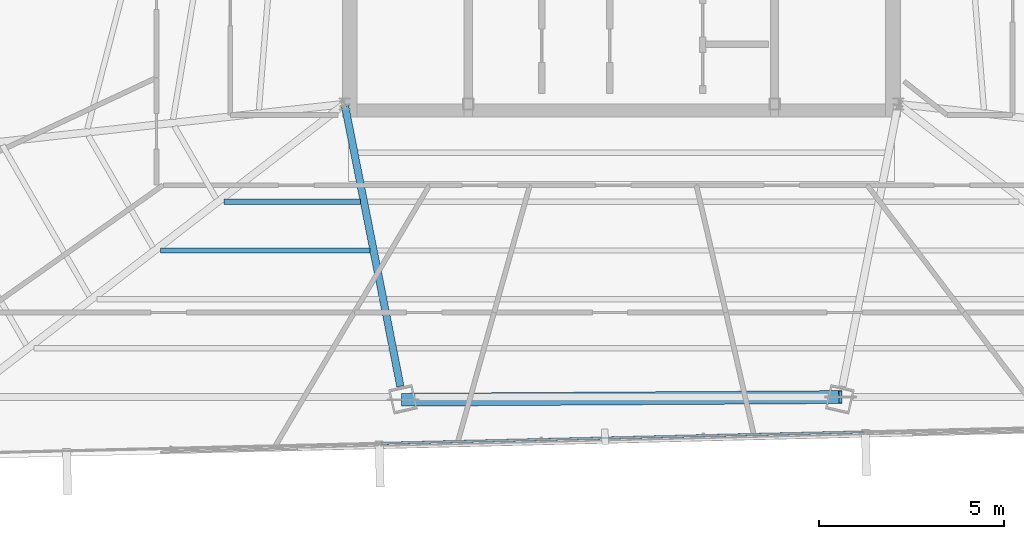
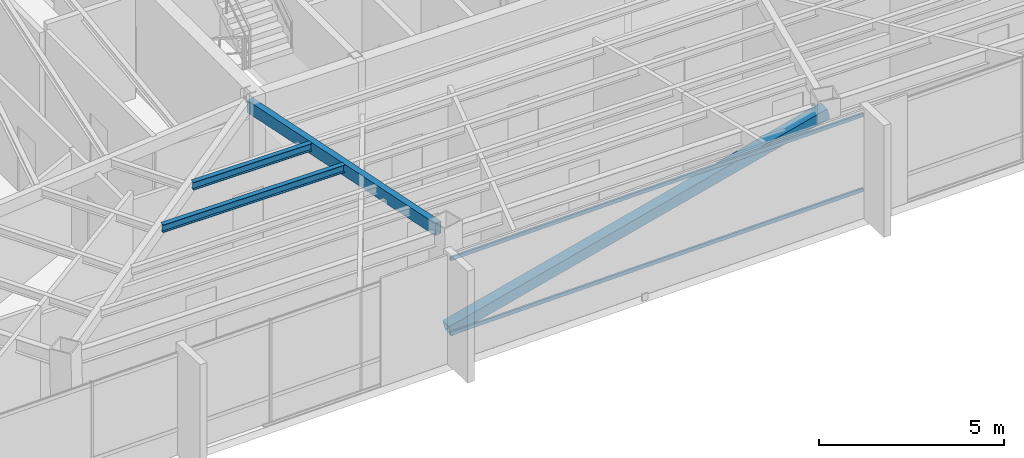
# One storey, part 12 of 44: 3 beams, 3 members, 1 element without a shape of its own.
"""IFC4 building model written with IfcOpenShell, lengths in metres."""

from ifc_helpers import new_model, si_unit, direction, frame, origin, origin_2d, place, context, subcontext, project, spatial, hollow_rectangle, i_section, extrude, source, transform, mapped, material, material_profile, profile_set, type_object, type_shapes, element, aggregate, save


model = new_model("IFC4")

# Units and contexts
model_context = context("Model", 3, precision=1e-05, world=origin(), true_north=direction((0.0, 1.0)))
body_context = subcontext(model_context, "Body", "Model", "MODEL_VIEW")
ifc_project = project(units=[si_unit("LENGTHUNIT", "METRE"), si_unit("AREAUNIT", "SQUARE_METRE"), si_unit("VOLUMEUNIT", "CUBIC_METRE"), si_unit("PLANEANGLEUNIT", "RADIAN"), si_unit("MASSUNIT", "GRAM", prefix="KILO")], contexts=[model_context])

# Site, building, storey
site_placement = place(None, origin())
site = spatial("IfcSite", under=ifc_project, at=site_placement, CompositionType="ELEMENT")
building_placement = place(site_placement, origin())
building = spatial("IfcBuilding", under=site, at=building_placement, Name="Caelisora Broadcast Tower", CompositionType="ELEMENT")
storey_placement = place(building_placement, frame((0.0, 0.0, 259.050048828125)))
storey = spatial("IfcBuildingStorey", under=building, at=storey_placement, Name="L68", CompositionType="ELEMENT", Elevation=259.050048828125)

# Beams
ifc_material_1 = material(Name="Steel Grade 350 (AS/NZS 1163 C350L0)", Category="steel")
ifc_material_profile_1 = material_profile(ifc_material_1, hollow_rectangle(XDim=0.199951171875, YDim=0.39990234375, WallThickness=0.012451171875, at=origin_2d()), Name="Steel Grade 350 (AS/NZS 1163 C350L0)")
ifc_profile_set_1 = profile_set([ifc_material_profile_1], Name="Steel Grade 350 (AS/NZS 1163 C350L0)")
beam_type_1 = type_object("IfcBeamType", Name="PG07", PredefinedType="BEAM", material=ifc_profile_set_1)
shared_shape_1 = source(origin(), body_context, "Body", "SweptSolid", [
    extrude(hollow_rectangle(XDim=0.199951171875, YDim=0.39990234375, WallThickness=0.012451171875, at=origin_2d()), origin(), (0.0, 0.0, 1.0), 7.73828125),
])
type_shapes(beam_type_1, [shared_shape_1])
beam_1_placement = place(storey_placement, frame((30.51171875, 17.341064453125, 3.199951171875), z_axis=(0.193555117435, -0.981089402916, 0.0), x_axis=(0.981089402916, 0.193555117435, 0.0)))
element("IfcBeam", 1, at=beam_1_placement, inside=storey, type_object=beam_type_1, Name="L68 beam PG07", PredefinedType="BEAM", context=body_context, shape_type="MappedRepresentation", body=[
    mapped(shared_shape_1, transform((0.0, 0.0, 0.0), scale=1.0)),
])
ifc_material_2 = material(Name="Steel Grade 350 (AS/NZS 3679.1)", Category="steel")
ifc_material_profile_2 = material_profile(ifc_material_2, i_section(OverallWidth=0.14599609375, OverallDepth=0.256103515625, WebThickness=0.00634765625, FlangeThickness=0.010986328125, at=origin_2d()), Name="Steel Grade 350 (AS/NZS 3679.1)")
ifc_profile_set_2 = profile_set([ifc_material_profile_2], Name="Steel Grade 350 (AS/NZS 3679.1)")
beam_type_2 = type_object("IfcBeamType", Name="SB04", PredefinedType="JOIST", material=ifc_profile_set_2)
shared_shape_2 = source(origin(), body_context, "Body", "SweptSolid", [
    extrude(i_section(OverallWidth=0.14599609375, OverallDepth=0.256103515625, WebThickness=0.00634765625, FlangeThickness=0.010986328125, at=origin_2d()), origin(), (0.0, 0.0, 1.0), 3.69580078125),
])
beam_2_placement = place(storey_placement, frame((27.227783203125, 14.752197265625, 3.27197265625), z_axis=(1.0, 0.0, 0.0), x_axis=(0.0, 1.0, 0.0)))
element("IfcBeam", 2, at=beam_2_placement, inside=storey, type_object=beam_type_2, Name="L68 beam SB04", PredefinedType="JOIST", context=body_context, shape_type="MappedRepresentation", body=[
    mapped(shared_shape_2, transform((0.0, 0.0, 0.0), scale=1.0)),
])
shared_shape_3 = source(origin(), body_context, "Body", "SweptSolid", [
    extrude(i_section(OverallWidth=0.14599609375, OverallDepth=0.256103515625, WebThickness=0.00634765625, FlangeThickness=0.010986328125, at=origin_2d()), origin(), (0.0, 0.0, 1.0), 5.67333984375),
])
type_shapes(beam_type_2, [shared_shape_2, shared_shape_3])
beam_3_placement = place(storey_placement, frame((25.511474609375, 13.42822265625, 3.27197265625), z_axis=(1.0, 0.0, 0.0), x_axis=(0.0, 1.0, 0.0)))
element("IfcBeam", 3, at=beam_3_placement, inside=storey, type_object=beam_type_2, Name="L68 beam SB04", PredefinedType="JOIST", context=body_context, shape_type="MappedRepresentation", body=[
    mapped(shared_shape_3, transform((0.0, 0.0, 0.0), scale=1.0)),
])

# Member
ifc_material_3 = material(Name="Steel Grade 450 (AS/NZS 1163 C450L0)", Category="steel")
ifc_material_profile_3 = material_profile(ifc_material_3, hollow_rectangle(XDim=0.35009765625, YDim=0.35009765625, WallThickness=0.012451171875, at=origin_2d()), Name="Steel Grade 450 (AS/NZS 1163 C450L0)")
ifc_profile_set_3 = profile_set([ifc_material_profile_3], Name="Steel Grade 450 (AS/NZS 1163 C450L0)")
member_type_1 = type_object("IfcMemberType", Name="BR05", PredefinedType="BRACE", material=ifc_profile_set_3)
shared_shape_4 = source(origin(), body_context, "Body", "SweptSolid", [
    extrude(hollow_rectangle(XDim=0.35009765625, YDim=0.35009765625, WallThickness=0.012451171875, at=origin_2d()), origin(), (0.0, 0.0, 1.0), 12.223388671875),
])
type_shapes(member_type_1, [shared_shape_4])
member_1_placement = place(storey_placement, frame((32.08349609375, 9.384521484375, 0.099853515625), z_axis=(0.969396304776, 0.005912049165, 0.245429932896), x_axis=(-0.006098578251, 0.999981403499, 0.0)))
element("IfcMember", 4, at=member_1_placement, inside=storey, type_object=member_type_1, Name="L68 perimeter brace BR05", PredefinedType="BRACE", context=body_context, shape_type="MappedRepresentation", body=[
    mapped(shared_shape_4, transform((0.0, 0.0, 0.0), scale=1.0)),
])

# Curtain wall, members
ifc_material_4 = material(Name="Unitised Aluminium Insulated Shadow-Box Spandrel Curtain Wall", Category="aluminium")
curtain_wall_type = type_object("IfcCurtainWallType", Name="CW-SP3", PredefinedType="NOTDEFINED", material=ifc_material_4)
curtain_wall_placement = place(storey_placement, origin())
curtain_wall = element("IfcCurtainWall", 5, at=curtain_wall_placement, inside=storey, type_object=curtain_wall_type, Name="L68 curtain wall CW-SP3", PredefinedType="NOTDEFINED")
ifc_material_5 = material(Name="Aluminium 6063-T6 Anodised Terracotta Bronze", Category="aluminium")
ifc_material_profile_4 = material_profile(ifc_material_5, hollow_rectangle(XDim=0.06005859375, YDim=0.1201171875, WallThickness=0.0029296875, at=origin_2d()), Name="Aluminium 6063-T6 Anodised Terracotta Bronze")
ifc_profile_set_4 = profile_set([ifc_material_profile_4], Name="Aluminium 6063-T6 Anodised Terracotta Bronze")
member_type_2 = type_object("IfcMemberType", Name="CWT-03", PredefinedType="USERDEFINED", material=ifc_profile_set_4)
shared_shape_5 = source(origin(), body_context, "Body", "SweptSolid", [
    extrude(hollow_rectangle(XDim=0.06005859375, YDim=0.1201171875, WallThickness=0.0029296875, at=origin_2d()), origin(), (0.0, 0.0, 1.0), 13.069580078125),
])
type_shapes(member_type_2, [shared_shape_5])
member_2_placement = place(storey_placement, frame((44.557373046875, 8.513671875, 0.849853515625), z_axis=(-0.999718554493, -0.023723654924, 0.0), x_axis=(0.023723654924, -0.999718554493, 0.0)))
member_2 = element("IfcMember", 6, at=member_2_placement, type_object=member_type_2, Name="L68-CW-B06 transom #1", ObjectType="TRANSOM", PredefinedType="USERDEFINED", context=body_context, shape_type="MappedRepresentation", body=[
    mapped(shared_shape_5, transform((0.0, 0.0, 0.0), scale=1.0)),
])
member_3_placement = place(storey_placement, frame((44.557373046875, 8.513671875, 3.320068359375), z_axis=(-0.999718554493, -0.023723654924, 0.0), x_axis=(0.023723654924, -0.999718554493, 0.0)))
member_3 = element("IfcMember", 7, at=member_3_placement, type_object=member_type_2, Name="L68-CW-B06 transom #2", ObjectType="TRANSOM", PredefinedType="USERDEFINED", context=body_context, shape_type="MappedRepresentation", body=[
    mapped(shared_shape_5, transform((0.0, 0.0, 0.0), scale=1.0)),
])
aggregate(curtain_wall, [member_2, member_3])

save(model, "model.ifc")
